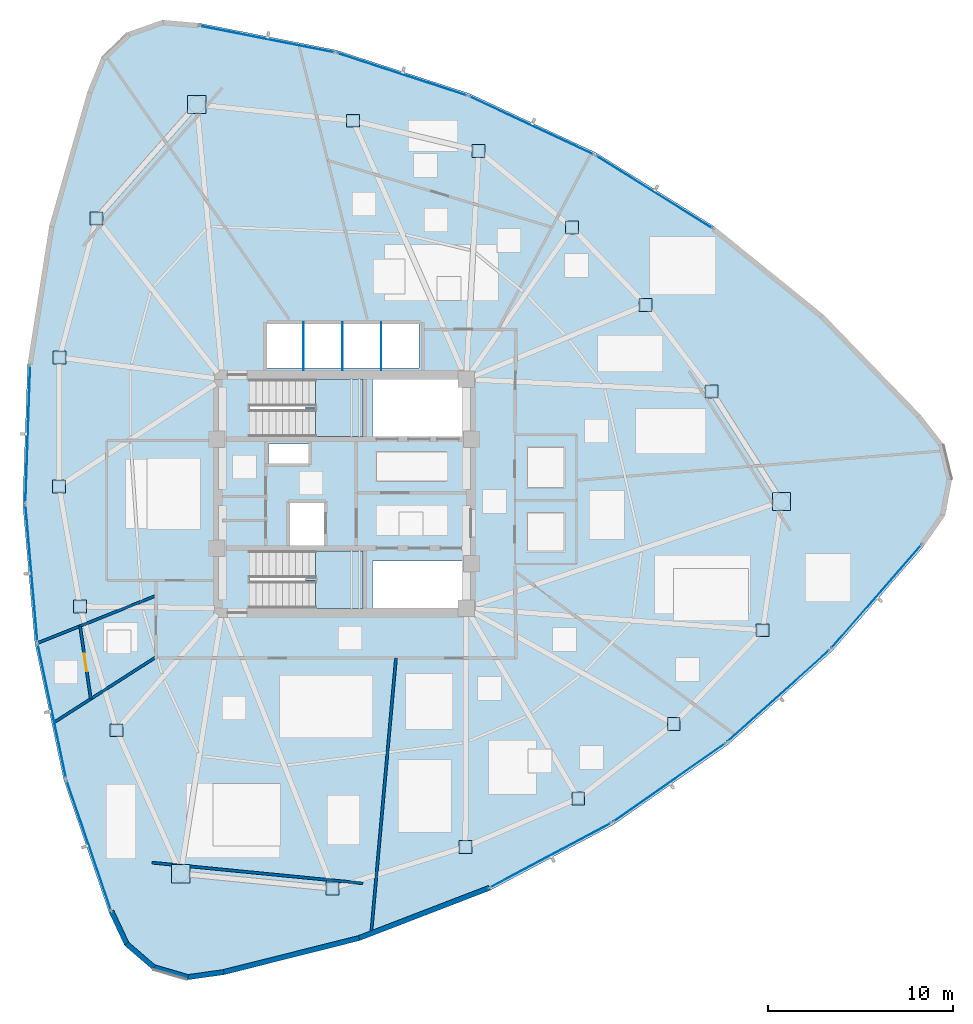
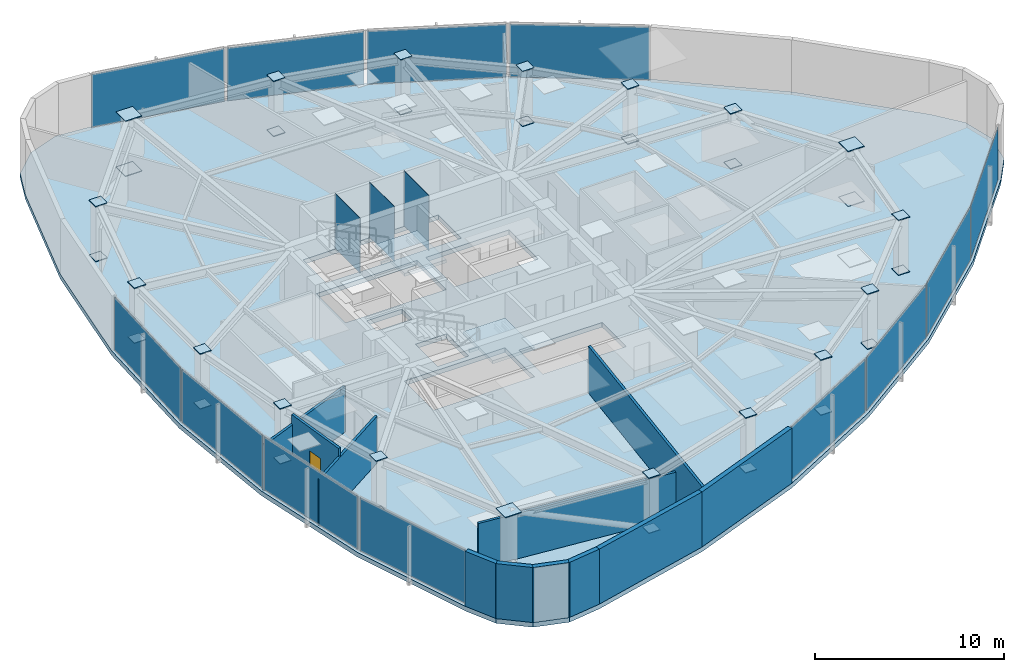
# One storey, part 10 of 17: 51 plates, 11 walls, 3 slabs, 1 door, 1 opening, 14 elements without a shape of their own.
"""IFC4 building model written with IfcOpenShell, lengths in metres."""

from ifc_helpers import new_model, si_unit, direction, frame, frame_2d, origin, origin_2d, place, context, subcontext, project, spatial, polyline, rectangle, outline, extrude, source, transform, mapped, material, layer, layer_set, type_object, type_shapes, element, fill, aggregate, save


model = new_model("IFC4")

# Units and contexts
model_context = context("Model", 3, precision=1e-05, world=origin(), true_north=direction((0.0, 1.0)))
body_context = subcontext(model_context, "Body", "Model", "MODEL_VIEW")
ifc_project = project(units=[si_unit("LENGTHUNIT", "METRE"), si_unit("AREAUNIT", "SQUARE_METRE"), si_unit("VOLUMEUNIT", "CUBIC_METRE"), si_unit("PLANEANGLEUNIT", "RADIAN"), si_unit("MASSUNIT", "GRAM", prefix="KILO")], contexts=[model_context])

# Site, building, storey
site_placement = place(None, origin())
site = spatial("IfcSite", under=ifc_project, at=site_placement, CompositionType="ELEMENT")
building_placement = place(site_placement, origin())
building = spatial("IfcBuilding", under=site, at=building_placement, Name="Tavelor Broadcast Tower", CompositionType="ELEMENT")
storey_placement = place(building_placement, frame((0.0, 0.0, 165.64990234375)))
storey = spatial("IfcBuildingStorey", under=building, at=storey_placement, Name="L39", CompositionType="ELEMENT", Elevation=165.64990234375)

# Stair, slab
ifc_material_1 = material(Name="Concrete C40/50", Category="concrete")
stair_type = type_object("IfcStairType", Name="Reinforced Concrete Protected Dogleg Stair 1450 mm", PredefinedType="HALF_TURN_STAIR", material=ifc_material_1)
stair_1_placement = place(storey_placement, origin())
stair_1 = element("IfcStair", 1, at=stair_1_placement, inside=storey, type_object=stair_type, Name="L39 Protected Core Exit Stair ST1", PredefinedType="HALF_TURN_STAIR")
ifc_layer_1 = layer(ifc_material_1, 0.199951171875)
ifc_layer_set_1 = layer_set([ifc_layer_1], Name="Concrete C40/50")
slab_type_1 = type_object("IfcSlabType", Name="Reinforced Concrete Stair Half-Landing Slab 200 mm", PredefinedType="LANDING", material=ifc_layer_set_1)
slab_1_placement = place(storey_placement, frame((0.0, 0.0, 1.72509765625)))
slab_1 = element("IfcSlab", 2, at=slab_1_placement, type_object=slab_type_1, Name="ST1 landing 1", PredefinedType="LANDING", context=body_context, shape_type="SweptSolid", body=[
    extrude(outline(polyline([(48.445068359375, 49.590087890625), (48.445068359375, 48.094970703125), (51.0048828125, 48.094970703125), (51.0048828125, 51.205078125), (48.445068359375, 51.205078125), (48.445068359375, 49.7099609375), (47.905029296875, 49.7099609375), (47.905029296875, 49.590087890625), (48.445068359375, 49.590087890625)])), origin(), (0.0, 0.0, 1.0), 0.199951171875),
])
aggregate(stair_1, [slab_1])

stair_2_placement = place(storey_placement, origin())
stair_2 = element("IfcStair", 3, at=stair_2_placement, inside=storey, type_object=stair_type, Name="L39 Protected Core Exit Stair ST2", PredefinedType="HALF_TURN_STAIR")
slab_2_placement = place(storey_placement, frame((0.0, 0.0, 1.72509765625)))
slab_2 = element("IfcSlab", 4, at=slab_2_placement, type_object=slab_type_1, Name="ST2 landing 1", PredefinedType="LANDING", context=body_context, shape_type="SweptSolid", body=[
    extrude(outline(polyline([(48.445068359375, 40.2900390625), (48.445068359375, 38.794921875), (51.0048828125, 38.794921875), (51.0048828125, 41.905029296875), (48.445068359375, 41.905029296875), (48.445068359375, 40.409912109375), (47.905029296875, 40.409912109375), (47.905029296875, 40.2900390625), (48.445068359375, 40.2900390625)])), origin(), (0.0, 0.0, 1.0), 0.199951171875),
])
aggregate(stair_2, [slab_2])

# Slab
ifc_layer_2 = layer(ifc_material_1, 0.300048828125)
ifc_layer_set_2 = layer_set([ifc_layer_2], Name="Concrete C40/50")
slab_type_2 = type_object("IfcSlabType", Name="Tower Composite Floor Slab 300 mm", PredefinedType="FLOOR", material=ifc_layer_set_2)
slab_3_placement = place(storey_placement, frame((0.0, 0.0, -0.2998046875)))
element("IfcSlab", 5, at=slab_3_placement, inside=storey, type_object=slab_type_2, Name="L39 Structural Floor Slab", PredefinedType="FLOOR", context=body_context, shape_type="SweptSolid", body=[
    extrude(outline(polyline([(42.139892578125, 70.486083984375), (40.157958984375, 70.65771484375), (38.28076171875, 69.99853515625), (36.84130859375, 68.62548828125), (36.094482421875, 66.781494140625), (34.02294921875, 59.498046875), (32.84814453125, 52.017578125), (32.587158203125, 44.44970703125), (33.243896484375, 36.906005859375), (34.80859375, 29.497314453125), (37.25830078125, 22.33203125), (38.100830078125, 20.52978515625), (39.610107421875, 19.23388671875), (41.51904296875, 18.673828125), (43.489501953125, 18.948974609375), (50.832763671875, 20.796630859375), (57.898681640625, 23.51953125), (64.5830078125, 27.077392578125), (70.78759765625, 31.41796875), (76.42138671875, 36.4775390625), (81.401611328125, 42.181640625), (82.54150390625, 43.812255859375), (82.9091796875, 45.767578125), (82.439697265625, 47.70068359375), (81.216064453125, 49.26953125), (75.944091796875, 54.705078125), (70.05322265625, 59.462890625), (63.6298828125, 63.472900390625), (56.7685546875, 66.676025390625), (49.56982421875, 69.025390625), (42.139892578125, 70.486083984375)]), holes=[polyline([(56.60009765625, 41.35009765625), (56.60009765625, 38.800048828125), (51.52001953125, 38.800048828125), (51.52001953125, 41.35009765625), (56.60009765625, 41.35009765625)]), polyline([(50.99609375, 38.803955078125), (44.85400390625, 38.803955078125), (44.85400390625, 41.89599609375), (50.99609375, 41.89599609375), (50.99609375, 38.803955078125)]), polyline([(47.050048828125, 42.199951171875), (47.050048828125, 44.550048828125), (48.949951171875, 44.550048828125), (48.949951171875, 42.199951171875), (47.050048828125, 42.199951171875)]), polyline([(48.050048828125, 46.64990234375), (45.89990234375, 46.64990234375), (45.89990234375, 47.699951171875), (48.050048828125, 47.699951171875), (48.050048828125, 46.64990234375)]), polyline([(50.99609375, 48.10400390625), (44.85400390625, 48.10400390625), (44.85400390625, 51.196044921875), (50.99609375, 51.196044921875), (50.99609375, 48.10400390625)]), polyline([(56.60009765625, 48.10009765625), (51.52001953125, 48.10009765625), (51.52001953125, 51.199951171875), (56.60009765625, 51.199951171875), (56.60009765625, 48.10009765625)]), polyline([(54.050048828125, 51.800048828125), (45.800048828125, 51.800048828125), (45.800048828125, 54.25), (54.050048828125, 54.25), (54.050048828125, 51.800048828125)])]), origin(), (0.0, 0.0, 1.0), 0.2998046875),
])

# Plates
ifc_material_2 = material(Name="Steel S460", Category="steel")
ifc_layer_3 = layer(ifc_material_2, 0.050048828125)
ifc_layer_set_3 = layer_set([ifc_layer_3], Name="Steel S460")
plate_type_1 = type_object("IfcPlateType", Name="Tube Hollow-End Cap Plate KN05 700x700x50", PredefinedType="USERDEFINED", material=ifc_layer_set_3)
shared_shape_1 = source(origin(), body_context, "Body", "SweptSolid", [
    extrude(rectangle(XDim=0.699951171875, YDim=0.699951171875, at=origin_2d()), origin(), (0.0, 0.0, 1.0), 0.054931640625),
])
for number, where, z_axis, x_axis, name in (
    (6, (36.567626953125, 59.91064453125, -0.02734375), (0.0, 0.0, 1.0), (1.0, 0.0, 0.0), "L39 Hollow End Cap Plate KN05 #1109"),
    (7, (36.567626953125, 59.91064453125, 3.5224609375), (0.0, 0.0, 1.0), (1.0, 0.0, 0.0), "L39 Hollow End Cap Plate KN05 #1110"),
    (8, (34.5751953125, 52.37939453125, -0.02734375), (0.0, 0.0, 1.0), (1.0, 0.0, 0.0), "L39 Hollow End Cap Plate KN05 #1111"),
    (9, (34.5751953125, 52.37939453125, 3.5224609375), (0.0, 0.0, 1.0), (1.0, 0.0, 0.0), "L39 Hollow End Cap Plate KN05 #1112"),
    (10, (34.54638671875, 45.399169921875, -0.02734375), (0.0, 0.0, 1.0), (1.0, 0.0, 0.0), "L39 Hollow End Cap Plate KN05 #1113"),
    (11, (34.54638671875, 45.399169921875, 3.5224609375), (0.0, 0.0, 1.0), (1.0, 0.0, 0.0), "L39 Hollow End Cap Plate KN05 #1114"),
    (12, (35.680908203125, 38.89990234375, -0.02734375), (0.0, 0.0, 1.0), (1.0, 0.0, 0.0), "L39 Hollow End Cap Plate KN05 #1115"),
    (13, (35.680908203125, 38.89990234375, 3.5224609375), (0.0, 0.0, 1.0), (1.0, 0.0, 0.0), "L39 Hollow End Cap Plate KN05 #1116"),
    (14, (37.668212890625, 32.1904296875, -0.02734375), (0.0, 0.0, 1.0), (1.0, 0.0, 0.0), "L39 Hollow End Cap Plate KN05 #1117"),
    (15, (37.668212890625, 32.1904296875, 3.5224609375), (0.0, 0.0, 1.0), (1.0, 0.0, 0.0), "L39 Hollow End Cap Plate KN05 #1118"),
    (16, (49.366455078125, 23.618896484375, -0.02734375), (0.0, 0.0, 1.0), (1.0, 0.0, 0.0), "L39 Hollow End Cap Plate KN05 #1121"),
    (17, (49.366455078125, 23.618896484375, 3.5224609375), (0.0, 0.0, 1.0), (1.0, 0.0, 0.0), "L39 Hollow End Cap Plate KN05 #1122"),
    (18, (56.56103515625, 25.872802734375, -0.02734375), (0.0, 0.0, 1.0), (1.0, 0.0, 0.0), "L39 Hollow End Cap Plate KN05 #1123"),
    (19, (56.56103515625, 25.872802734375, 3.5224609375), (0.0, 0.0, 1.0), (1.0, 0.0, 0.0), "L39 Hollow End Cap Plate KN05 #1124"),
    (20, (62.669189453125, 28.503173828125, -0.02734375), (0.0, 0.0, 1.0), (1.0, 0.0, 0.0), "L39 Hollow End Cap Plate KN05 #1125"),
    (21, (62.669189453125, 28.503173828125, 3.5224609375), (0.0, 0.0, 1.0), (1.0, 0.0, 0.0), "L39 Hollow End Cap Plate KN05 #1126"),
    (22, (67.84228515625, 32.53173828125, -0.02734375), (0.0, 0.0, 1.0), (1.0, 0.0, 0.0), "L39 Hollow End Cap Plate KN05 #1127"),
    (23, (67.84228515625, 32.53173828125, 3.5224609375), (0.0, 0.0, 1.0), (1.0, 0.0, 0.0), "L39 Hollow End Cap Plate KN05 #1128"),
    (24, (72.6591796875, 37.607421875, -0.02734375), (0.0, 0.0, 1.0), (1.0, 0.0, 0.0), "L39 Hollow End Cap Plate KN05 #1129"),
    (25, (72.6591796875, 37.607421875, 3.5224609375), (0.0, 0.0, 1.0), (1.0, 0.0, 0.0), "L39 Hollow End Cap Plate KN05 #1130"),
    (26, (69.885986328125, 50.544189453125, -0.02734375), (0.0, 0.0, 1.0), (1.0, 0.0, 0.0), "L39 Hollow End Cap Plate KN05 #1133"),
    (27, (69.885986328125, 50.544189453125, 3.5224609375), (0.0, 0.0, 1.0), (1.0, 0.0, 0.0), "L39 Hollow End Cap Plate KN05 #1134"),
    (28, (66.322021484375, 55.228759765625, -0.02734375), (0.0, 0.0, 1.0), (1.0, 0.0, 0.0), "L39 Hollow End Cap Plate KN05 #1135"),
    (29, (66.322021484375, 55.228759765625, 3.5224609375), (0.0, 0.0, 1.0), (1.0, 0.0, 0.0), "L39 Hollow End Cap Plate KN05 #1136"),
    (30, (62.330810546875, 59.416259765625, -0.02734375), (0.0, 0.0, 1.0), (1.0, 0.0, 0.0), "L39 Hollow End Cap Plate KN05 #1137"),
    (31, (62.330810546875, 59.416259765625, 3.5224609375), (0.0, 0.0, 1.0), (1.0, 0.0, 0.0), "L39 Hollow End Cap Plate KN05 #1138"),
    (32, (57.276611328125, 63.568359375, -0.02734375), (0.0, 0.0, 1.0), (1.0, 0.0, 0.0), "L39 Hollow End Cap Plate KN05 #1139"),
    (33, (57.276611328125, 63.568359375, 3.5224609375), (0.0, 0.0, 1.0), (1.0, 0.0, 0.0), "L39 Hollow End Cap Plate KN05 #1140"),
    (34, (50.472412109375, 65.2021484375, -0.02734375), (0.0, 0.0, 1.0), (1.0, 0.0, 0.0), "L39 Hollow End Cap Plate KN05 #1141"),
    (35, (50.472412109375, 65.2021484375, 3.5224609375), (0.0, 0.0, 1.0), (1.0, 0.0, 0.0), "L39 Hollow End Cap Plate KN05 #1142"),
):
    element("IfcPlate", number, at=place(storey_placement, frame(where, z_axis=z_axis, x_axis=x_axis)), inside=storey, type_object=plate_type_1, Name=name, ObjectType="CAP PLATE", PredefinedType="USERDEFINED", context=body_context, shape_type="MappedRepresentation", body=[
        mapped(shared_shape_1, transform((0.0, 0.0, 0.0), scale=1.0)),
    ])
shared_shape_2 = source(origin(), body_context, "Body", "SweptSolid", [
    extrude(rectangle(XDim=0.993896484375, YDim=0.993896484375, at=origin_2d()), origin(), (0.0, 0.0, 1.0), 0.054931640625),
])
type_shapes(plate_type_1, [shared_shape_1, shared_shape_2])
for number, where, z_axis, x_axis, name in (
    (36, (42.01123046875, 66.080078125, -0.02734375), (0.0, 0.0, 1.0), (1.0, 0.0, 0.0), "L39 Hollow End Cap Plate KN05 #1107"),
    (37, (42.01123046875, 66.080078125, 3.5224609375), (0.0, 0.0, 1.0), (1.0, 0.0, 0.0), "L39 Hollow End Cap Plate KN05 #1108"),
    (38, (41.138671875, 24.423828125, -0.02734375), (0.0, 0.0, 1.0), (1.0, 0.0, 0.0), "L39 Hollow End Cap Plate KN05 #1119"),
    (39, (41.138671875, 24.423828125, 3.5224609375), (0.0, 0.0, 1.0), (1.0, 0.0, 0.0), "L39 Hollow End Cap Plate KN05 #1120"),
    (40, (73.676025390625, 44.57958984375, -0.02734375), (0.0, 0.0, 1.0), (1.0, 0.0, 0.0), "L39 Hollow End Cap Plate KN05 #1131"),
    (41, (73.676025390625, 44.57958984375, 3.5224609375), (0.0, 0.0, 1.0), (1.0, 0.0, 0.0), "L39 Hollow End Cap Plate KN05 #1132"),
):
    element("IfcPlate", number, at=place(storey_placement, frame(where, z_axis=z_axis, x_axis=x_axis)), inside=storey, type_object=plate_type_1, Name=name, ObjectType="CAP PLATE", PredefinedType="USERDEFINED", context=body_context, shape_type="MappedRepresentation", body=[
        mapped(shared_shape_2, transform((0.0, 0.0, 0.0), scale=1.0)),
    ])
ifc_material_3 = material(Name="Steel S355", Category="steel")
ifc_layer_4 = layer(ifc_material_3, 0.011962890625)
ifc_layer_set_4 = layer_set([ifc_layer_4], Name="Steel S355")
plate_type_2 = type_object("IfcPlateType", Name="Hoistway Steel Separator Screen 12 mm", PredefinedType="SHEET", material=ifc_layer_set_4)
shared_shape_3 = source(origin(), body_context, "Body", "SweptSolid", [
    extrude(rectangle(XDim=0.02001953125, YDim=2.6201171875, at=origin_2d()), origin(), (0.0, 0.0, 1.0), 3.550048828125),
])
type_shapes(plate_type_2, [shared_shape_3])
for number, where, z_axis, x_axis, name in (
    (42, (47.800048828125, 52.989990234375, 0.0), (0.0, 0.0, 1.0), (1.0, 0.0, 0.0), "L39 High-Rise Hoistway Separator Screen 1"),
    (43, (49.89990234375, 52.989990234375, 0.0), (0.0, 0.0, 1.0), (1.0, 0.0, 0.0), "L39 High-Rise Hoistway Separator Screen 2"),
    (44, (52.0, 52.989990234375, 0.0), (0.0, 0.0, 1.0), (1.0, 0.0, 0.0), "L39 High-Rise Hoistway Separator Screen 3"),
):
    element("IfcPlate", number, at=place(storey_placement, frame(where, z_axis=z_axis, x_axis=x_axis)), inside=storey, type_object=plate_type_2, Name=name, PredefinedType="SHEET", context=body_context, shape_type="MappedRepresentation", body=[
        mapped(shared_shape_3, transform((0.0, 0.0, 0.0), scale=1.0)),
    ])

# Curtain wall, plate
ifc_material_4 = material(Name="Architectural Anodized Aluminium", Category="aluminium")
ifc_layer_5 = layer(ifc_material_4, 0.18994140625)
ifc_layer_set_5 = layer_set([ifc_layer_5], Name="Architectural Anodized Aluminium")
curtain_wall_type = type_object("IfcCurtainWallType", Name="Tower Mid-Zone Acoustic Curtain Wall CW03", PredefinedType="NOTDEFINED", material=ifc_layer_set_5)
curtain_wall_1_placement = place(storey_placement, origin())
curtain_wall_1 = element("IfcCurtainWall", 45, at=curtain_wall_1_placement, inside=storey, type_object=curtain_wall_type, Name="L39 Curtain Wall CW03 Run 409", PredefinedType="NOTDEFINED")
ifc_material_5 = material(Name="Solar Control Double Glazing 30 mm", Category="glass")
ifc_layer_6 = layer(ifc_material_5, 0.030029296875)
ifc_layer_set_6 = layer_set([ifc_layer_6], Name="Solar Control Double Glazing 30 mm")
plate_type_3 = type_object("IfcPlateType", Name="CW03 Insulated Vision Glazing Panel 30 mm", PredefinedType="CURTAIN_PANEL", material=ifc_layer_set_6)
shared_shape_4 = source(origin(), body_context, "Body", "SweptSolid", [
    extrude(rectangle(XDim=7.404296875, YDim=0.030029296875, at=origin_2d()), origin(), (0.0, 0.0, 1.0), 3.4140625),
])
plate_1_placement = place(storey_placement, frame((32.857666015625, 48.236328125, 0.068115234375), z_axis=(0.0, 0.0, 1.0), x_axis=(-0.034468670714, -0.99940577882, 0.0)))
plate_1 = element("IfcPlate", 46, at=plate_1_placement, type_object=plate_type_3, Name="CW03 panel 1.1", PredefinedType="CURTAIN_PANEL", context=body_context, shape_type="MappedRepresentation", body=[
    mapped(shared_shape_4, transform((0.0, 0.0, 0.0), scale=1.0)),
])
aggregate(curtain_wall_1, [plate_1])

curtain_wall_2_placement = place(storey_placement, origin())
curtain_wall_2 = element("IfcCurtainWall", 47, at=curtain_wall_2_placement, inside=storey, type_object=curtain_wall_type, Name="L39 Curtain Wall CW03 Run 413", PredefinedType="NOTDEFINED")
plate_2_placement = place(storey_placement, frame((61.16845703125, 25.41845703125, 0.068115234375), z_axis=(0.0, 0.0, 1.0), x_axis=(0.882753146751, 0.469837080168, 0.0)))
plate_2 = element("IfcPlate", 48, at=plate_2_placement, type_object=plate_type_3, Name="CW03 panel 1.1", PredefinedType="CURTAIN_PANEL", context=body_context, shape_type="MappedRepresentation", body=[
    mapped(shared_shape_4, transform((0.0, 0.0, 0.0), scale=1.0)),
])
aggregate(curtain_wall_2, [plate_2])

curtain_wall_3_placement = place(storey_placement, origin())
curtain_wall_3 = element("IfcCurtainWall", 49, at=curtain_wall_3_placement, inside=storey, type_object=curtain_wall_type, Name="L39 Curtain Wall CW03 Run 417", PredefinedType="NOTDEFINED")
plate_3_placement = place(storey_placement, frame((66.77392578125, 61.34521484375, 0.068115234375), z_axis=(0.0, 0.0, 1.0), x_axis=(-0.848277582336, 0.529551832502, 0.0)))
plate_3 = element("IfcPlate", 50, at=plate_3_placement, type_object=plate_type_3, Name="CW03 panel 1.1", PredefinedType="CURTAIN_PANEL", context=body_context, shape_type="MappedRepresentation", body=[
    mapped(shared_shape_4, transform((0.0, 0.0, 0.0), scale=1.0)),
])
aggregate(curtain_wall_3, [plate_3])

curtain_wall_4_placement = place(storey_placement, origin())
curtain_wall_4 = element("IfcCurtainWall", 51, at=curtain_wall_4_placement, inside=storey, type_object=curtain_wall_type, Name="L39 Curtain Wall CW03 Run 410", PredefinedType="NOTDEFINED")
shared_shape_5 = source(origin(), body_context, "Body", "SweptSolid", [
    extrude(rectangle(XDim=7.38916015625, YDim=0.030029296875, at=origin_2d()), origin(), (0.0, 0.0, 1.0), 3.4140625),
])
plate_4_placement = place(storey_placement, frame((33.054931640625, 40.68994140625, 0.068115234375), z_axis=(0.0, 0.0, 1.0), x_axis=(0.086721364637, -0.996232605828, 0.0)))
plate_4 = element("IfcPlate", 52, at=plate_4_placement, type_object=plate_type_3, Name="CW03 panel 1.1", PredefinedType="CURTAIN_PANEL", context=body_context, shape_type="MappedRepresentation", body=[
    mapped(shared_shape_5, transform((0.0, 0.0, 0.0), scale=1.0)),
])
aggregate(curtain_wall_4, [plate_4])

curtain_wall_5_placement = place(storey_placement, origin())
curtain_wall_5 = element("IfcCurtainWall", 53, at=curtain_wall_5_placement, inside=storey, type_object=curtain_wall_type, Name="L39 Curtain Wall CW03 Run 411", PredefinedType="NOTDEFINED")
plate_5_placement = place(storey_placement, frame((34.1630859375, 33.23046875, 0.068115234375), z_axis=(0.0, 0.0, 1.0), x_axis=(0.206651357307, -0.978414644475, 0.0)))
plate_5 = element("IfcPlate", 54, at=plate_5_placement, type_object=plate_type_3, Name="CW03 panel 1.1", PredefinedType="CURTAIN_PANEL", context=body_context, shape_type="MappedRepresentation", body=[
    mapped(shared_shape_5, transform((0.0, 0.0, 0.0), scale=1.0)),
])
aggregate(curtain_wall_5, [plate_5])

curtain_wall_6_placement = place(storey_placement, origin())
curtain_wall_6 = element("IfcCurtainWall", 55, at=curtain_wall_6_placement, inside=storey, type_object=curtain_wall_type, Name="L39 Curtain Wall CW03 Run 414", PredefinedType="NOTDEFINED")
plate_6_placement = place(storey_placement, frame((67.60498046875, 29.3623046875, 0.068115234375), z_axis=(0.0, 0.0, 1.0), x_axis=(0.819402941617, 0.57321795093, 0.0)))
plate_6 = element("IfcPlate", 56, at=plate_6_placement, type_object=plate_type_3, Name="CW03 panel 1.1", PredefinedType="CURTAIN_PANEL", context=body_context, shape_type="MappedRepresentation", body=[
    mapped(shared_shape_5, transform((0.0, 0.0, 0.0), scale=1.0)),
])
aggregate(curtain_wall_6, [plate_6])

curtain_wall_7_placement = place(storey_placement, origin())
curtain_wall_7 = element("IfcCurtainWall", 57, at=curtain_wall_7_placement, inside=storey, type_object=curtain_wall_type, Name="L39 Curtain Wall CW03 Run 418", PredefinedType="NOTDEFINED")
plate_7_placement = place(storey_placement, frame((60.139892578125, 64.947509765625, 0.068115234375), z_axis=(0.0, 0.0, 1.0), x_axis=(-0.906122362017, 0.42301567944, 0.0)))
plate_7 = element("IfcPlate", 58, at=plate_7_placement, type_object=plate_type_3, Name="CW03 panel 1.1", PredefinedType="CURTAIN_PANEL", context=body_context, shape_type="MappedRepresentation", body=[
    mapped(shared_shape_5, transform((0.0, 0.0, 0.0), scale=1.0)),
])
aggregate(curtain_wall_7, [plate_7])

curtain_wall_8_placement = place(storey_placement, origin())
curtain_wall_8 = element("IfcCurtainWall", 59, at=curtain_wall_8_placement, inside=storey, type_object=curtain_wall_type, Name="L39 Curtain Wall CW03 Run 419", PredefinedType="NOTDEFINED")
plate_8_placement = place(storey_placement, frame((53.125732421875, 67.717529296875, 0.068115234375), z_axis=(0.0, 0.0, 1.0), x_axis=(-0.950655137877, 0.31024959118, 0.0)))
plate_8 = element("IfcPlate", 60, at=plate_8_placement, type_object=plate_type_3, Name="CW03 panel 1.1", PredefinedType="CURTAIN_PANEL", context=body_context, shape_type="MappedRepresentation", body=[
    mapped(shared_shape_5, transform((0.0, 0.0, 0.0), scale=1.0)),
])
aggregate(curtain_wall_8, [plate_8])

curtain_wall_9_placement = place(storey_placement, origin())
curtain_wall_9 = element("IfcCurtainWall", 61, at=curtain_wall_9_placement, inside=storey, type_object=curtain_wall_type, Name="L39 Curtain Wall CW03 Run 412", PredefinedType="NOTDEFINED")
shared_shape_6 = source(origin(), body_context, "Body", "SweptSolid", [
    extrude(rectangle(XDim=7.4052734375, YDim=0.030029296875, at=origin_2d()), origin(), (0.0, 0.0, 1.0), 3.4140625),
])
plate_9_placement = place(storey_placement, frame((36.16845703125, 25.952392578125, 0.068115234375), z_axis=(0.0, 0.0, 1.0), x_axis=(0.323510234332, -0.946224671144, 0.0)))
plate_9 = element("IfcPlate", 62, at=plate_9_placement, type_object=plate_type_3, Name="CW03 panel 1.1", PredefinedType="CURTAIN_PANEL", context=body_context, shape_type="MappedRepresentation", body=[
    mapped(shared_shape_6, transform((0.0, 0.0, 0.0), scale=1.0)),
])
aggregate(curtain_wall_9, [plate_9])

curtain_wall_10_placement = place(storey_placement, origin())
curtain_wall_10 = element("IfcCurtainWall", 63, at=curtain_wall_10_placement, inside=storey, type_object=curtain_wall_type, Name="L39 Curtain Wall CW03 Run 416", PredefinedType="NOTDEFINED")
plate_10_placement = place(storey_placement, frame((78.811279296875, 39.427734375, 0.068115234375), z_axis=(0.0, 0.0, 1.0), x_axis=(0.65769216818, 0.753286805881, 0.0)))
plate_10 = element("IfcPlate", 64, at=plate_10_placement, type_object=plate_type_3, Name="CW03 panel 1.1", PredefinedType="CURTAIN_PANEL", context=body_context, shape_type="MappedRepresentation", body=[
    mapped(shared_shape_6, transform((0.0, 0.0, 0.0), scale=1.0)),
])
aggregate(curtain_wall_10, [plate_10])

curtain_wall_11_placement = place(storey_placement, origin())
curtain_wall_11 = element("IfcCurtainWall", 65, at=curtain_wall_11_placement, inside=storey, type_object=curtain_wall_type, Name="L39 Curtain Wall CW03 Run 420", PredefinedType="NOTDEFINED")
plate_11_placement = place(storey_placement, frame((45.820068359375, 69.619873046875, 0.068115234375), z_axis=(0.0, 0.0, 1.0), x_axis=(-0.981213020127, 0.192927471172, 0.0)))
plate_11 = element("IfcPlate", 66, at=plate_11_placement, type_object=plate_type_3, Name="CW03 panel 1.1", PredefinedType="CURTAIN_PANEL", context=body_context, shape_type="MappedRepresentation", body=[
    mapped(shared_shape_6, transform((0.0, 0.0, 0.0), scale=1.0)),
])
aggregate(curtain_wall_11, [plate_11])

curtain_wall_12_placement = place(storey_placement, origin())
curtain_wall_12 = element("IfcCurtainWall", 67, at=curtain_wall_12_placement, inside=storey, type_object=curtain_wall_type, Name="L39 Curtain Wall CW03 Run 415", PredefinedType="NOTDEFINED")
shared_shape_7 = source(origin(), body_context, "Body", "SweptSolid", [
    extrude(rectangle(XDim=7.389404296875, YDim=0.030029296875, at=origin_2d()), origin(), (0.0, 0.0, 1.0), 3.4140625),
])
type_shapes(plate_type_3, [shared_shape_4, shared_shape_5, shared_shape_6, shared_shape_7])
plate_12_placement = place(storey_placement, frame((73.510986328125, 34.052001953125, 0.068115234375), z_axis=(0.0, 0.0, 1.0), x_axis=(0.744007996026, 0.668170713104, 0.0)))
plate_12 = element("IfcPlate", 68, at=plate_12_placement, type_object=plate_type_3, Name="CW03 panel 1.1", PredefinedType="CURTAIN_PANEL", context=body_context, shape_type="MappedRepresentation", body=[
    mapped(shared_shape_7, transform((0.0, 0.0, 0.0), scale=1.0)),
])
aggregate(curtain_wall_12, [plate_12])

# Walls
ifc_material_6 = material(Name="Precast Concrete C40/50", Category="concrete")
ifc_layer_7 = layer(ifc_material_6, 0.280029296875)
ifc_layer_set_7 = layer_set([ifc_layer_7], Name="Precast Concrete C40/50")
wall_type_1 = type_object("IfcWallType", Name="Insulated Precast Terracotta Facade Wall 280 mm", PredefinedType="STANDARD", material=ifc_layer_set_7)
wall_1_placement = place(storey_placement, frame((37.38671875, 22.38818359375, 0.0), z_axis=(0.0, 0.0, 1.0), x_axis=(0.423421148942, -0.905932961443, 0.0)))
element("IfcWall", 69, at=wall_1_placement, inside=storey, type_object=wall_type_1, Name="L39 Rounded Corner Structural Cladding Pier 11", PredefinedType="STANDARD", context=body_context, shape_type="SweptSolid", body=[
    extrude(rectangle(XDim=1.970703125, YDim=0.280029296875, at=frame_2d((0.9853515625, 0.0))), origin(), (0.0, 0.0, 1.0), 3.550048828125),
])
wall_2_placement = place(storey_placement, frame((38.20361328125, 20.626220703125, 0.0), z_axis=(0.0, 0.0, 1.0), x_axis=(0.758666830127, -0.651478810757, 0.0)))
element("IfcWall", 70, at=wall_2_placement, inside=storey, type_object=wall_type_1, Name="L39 Rounded Corner Structural Cladding Pier 12", PredefinedType="STANDARD", context=body_context, shape_type="SweptSolid", body=[
    extrude(rectangle(XDim=1.958740234375, YDim=0.280029296875, at=frame_2d((0.9794921875, 0.0))), origin(), (0.0, 0.0, 1.0), 3.550048828125),
])
wall_3_placement = place(storey_placement, frame((39.6640625, 19.364013671875, 0.0), z_axis=(0.0, 0.0, 1.0), x_axis=(0.959557761402, -0.281511815975, 0.0)))
element("IfcWall", 71, at=wall_3_placement, inside=storey, type_object=wall_type_1, Name="L39 Rounded Corner Structural Cladding Pier 13", PredefinedType="STANDARD", context=body_context, shape_type="SweptSolid", body=[
    extrude(rectangle(XDim=1.959228515625, YDim=0.280029296875, at=frame_2d((0.9794921875, 0.0))), origin(), (0.0, 0.0, 1.0), 3.550048828125),
])
wall_4_placement = place(storey_placement, frame((41.5146484375, 18.814453125, 0.0), z_axis=(0.0, 0.0, 1.0), x_axis=(0.990383315602, 0.138350598759, 0.0)))
element("IfcWall", 72, at=wall_4_placement, inside=storey, type_object=wall_type_1, Name="L39 Rounded Corner Structural Cladding Pier 14", PredefinedType="STANDARD", context=body_context, shape_type="SweptSolid", body=[
    extrude(rectangle(XDim=1.981689453125, YDim=0.280029296875, at=frame_2d((0.99072265625, 0.0))), origin(), (0.0, 0.0, 1.0), 3.550048828125),
])
wall_5_placement = place(storey_placement, frame((43.447998046875, 19.0830078125, 0.0), z_axis=(0.0, 0.0, 1.0), x_axis=(0.969774133859, 0.244004363275, 0.0)))
element("IfcWall", 73, at=wall_5_placement, inside=storey, type_object=wall_type_1, Name="L39 Rounded Corner Structural Cladding Pier 15", PredefinedType="STANDARD", context=body_context, shape_type="SweptSolid", body=[
    extrude(rectangle(XDim=7.586181640625, YDim=0.280029296875, at=frame_2d((3.79296875, 0.0))), origin(), (0.0, 0.0, 1.0), 3.550048828125),
])
wall_6_placement = place(storey_placement, frame((50.7763671875, 20.925048828125, 0.0), z_axis=(0.0, 0.0, 1.0), x_axis=(0.933110305228, 0.359590264435, 0.0)))
element("IfcWall", 74, at=wall_6_placement, inside=storey, type_object=wall_type_1, Name="L39 Rounded Corner Structural Cladding Pier 16", PredefinedType="STANDARD", context=body_context, shape_type="SweptSolid", body=[
    extrude(rectangle(XDim=7.57421875, YDim=0.280029296875, at=frame_2d((3.787109375, 0.0))), origin(), (0.0, 0.0, 1.0), 3.550048828125),
])
ifc_material_7 = material(Name="Gypsum Acoustic Plasterboard 150 mm", Category="gypsum")
ifc_layer_8 = layer(ifc_material_7, 0.14990234375)
ifc_layer_set_8 = layer_set([ifc_layer_8], Name="Gypsum Acoustic Plasterboard 150 mm")
wall_type_2 = type_object("IfcWallType", Name="Interior Acoustic Partition Wall 150 mm", PredefinedType="PARTITIONING", material=ifc_layer_set_8)
wall_7_placement = place(storey_placement, frame((39.589111328125, 25.017578125, 0.0), z_axis=(0.0, 0.0, 1.0), x_axis=(0.99524905582, -0.097361783517, 0.0)))
element("IfcWall", 75, at=wall_7_placement, inside=storey, type_object=wall_type_2, Name="L39 Corner Tube Brace Furring Wall 2", PredefinedType="PARTITIONING", context=body_context, shape_type="SweptSolid", body=[
    extrude(rectangle(XDim=11.467041015625, YDim=0.14990234375, at=frame_2d((5.7333984375, 0.0))), origin(), (0.0, 0.0, 1.0), 2.93505859375),
])
wall_8_placement = place(storey_placement, frame((39.800048828125, 39.4794921875, 0.0), z_axis=(0.0, 0.0, 1.0), x_axis=(-0.928454788223, -0.371445428329, 0.0)))
element("IfcWall", 76, at=wall_8_placement, inside=storey, type_object=wall_type_2, Name="L39 Radial Compartment Wall 03", PredefinedType="PARTITIONING", context=body_context, shape_type="SweptSolid", body=[
    extrude(rectangle(XDim=6.919189453125, YDim=0.14990234375, at=frame_2d((3.45947265625, 0.0))), origin(), (0.0, 0.0, 1.0), 2.93505859375),
])
wall_9_placement = place(storey_placement, frame((39.800048828125, 36.15234375, 0.0), z_axis=(0.0, 0.0, 1.0), x_axis=(-0.841826624217, -0.539748028953, 0.0)))
element("IfcWall", 77, at=wall_9_placement, inside=storey, type_object=wall_type_2, Name="L39 Radial Compartment Wall 04", PredefinedType="PARTITIONING", context=body_context, shape_type="SweptSolid", body=[
    extrude(rectangle(XDim=6.5537109375, YDim=0.14990234375, at=frame_2d((3.27685546875, 0.0))), origin(), (0.0, 0.0, 1.0), 3.025146484375),
])
wall_10_placement = place(storey_placement, frame((52.798583984375, 36.10009765625, 0.0), z_axis=(0.0, 0.0, 1.0), x_axis=(-0.089658709798, -0.995972547693, 0.0)))
element("IfcWall", 78, at=wall_10_placement, inside=storey, type_object=wall_type_2, Name="L39 Radial Compartment Wall 05", PredefinedType="PARTITIONING", context=body_context, shape_type="SweptSolid", body=[
    extrude(rectangle(XDim=14.984619140625, YDim=0.14990234375, at=frame_2d((7.4921875, 0.0))), origin(), (0.0, 0.0, 1.0), 3.025146484375),
])

# Wall, opening, door
wall_11_placement = place(storey_placement, frame((35.688720703125, 37.834716796875, 0.0), z_axis=(0.0, 0.0, 1.0), x_axis=(0.145490466263, -0.989359653628, 0.0)))
wall_11 = element("IfcWall", 79, at=wall_11_placement, inside=storey, type_object=wall_type_2, Name="L39 Suite Chord Partition Wall 02", PredefinedType="PARTITIONING", context=body_context, shape_type="SweptSolid", body=[
    extrude(rectangle(XDim=3.98876953125, YDim=0.14990234375, at=frame_2d((1.994384765625, 0.0))), origin(), (0.0, 0.0, 1.0), 3.550048828125),
])
opening_placement = place(wall_11_placement, frame((1.519287109375, 0.0, 0.0)))
opening = element("IfcOpeningElement", 80, at=opening_placement, cuts=wall_11, Name="Opening DR23", PredefinedType="OPENING", context=body_context, shape_type="SweptSolid", body=[
    extrude(rectangle(XDim=0.949951171875, YDim=2.050048828125, at=frame_2d((0.47509765625, 1.02490234375))), frame((0.0, 0.0849609375, 0.0), z_axis=(0.0, -1.0, 0.0), x_axis=(1.0, 0.0, 0.0)), (0.0, 0.0, 1.0), 0.169921875),
])
ifc_material_8 = material(Name="Timber Solid Core Hardwood", Category="wood")
door_type = type_object("IfcDoorType", Name="Editorial Room Acoustic Door 950x2050", OperationType="NOTDEFINED", PredefinedType="DOOR", material=ifc_material_8)
door_placement = place(opening_placement, origin())
door = element("IfcDoor", 81, at=door_placement, inside=storey, type_object=door_type, Name="L39 Outer Suite Partition Door 2", OperationType="SINGLE_SWING_LEFT", OverallHeight=2.050048828125, OverallWidth=0.949951171875, PredefinedType="DOOR", context=body_context, shape_type="SweptSolid", body=[
    extrude(rectangle(XDim=0.949951171875, YDim=2.050048828125, at=frame_2d((0.47509765625, 1.02490234375))), frame((0.0, 0.02490234375, 0.0), z_axis=(0.0, -1.0, 0.0), x_axis=(1.0, 0.0, 0.0)), (0.0, 0.0, 1.0), 0.050048828125),
])
fill(opening, door)

save(model, "model.ifc")
